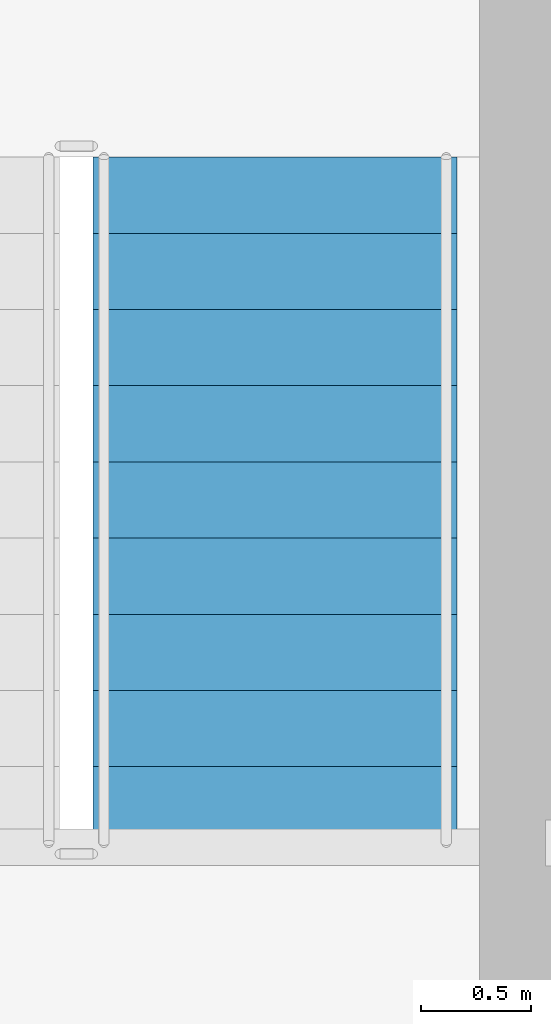
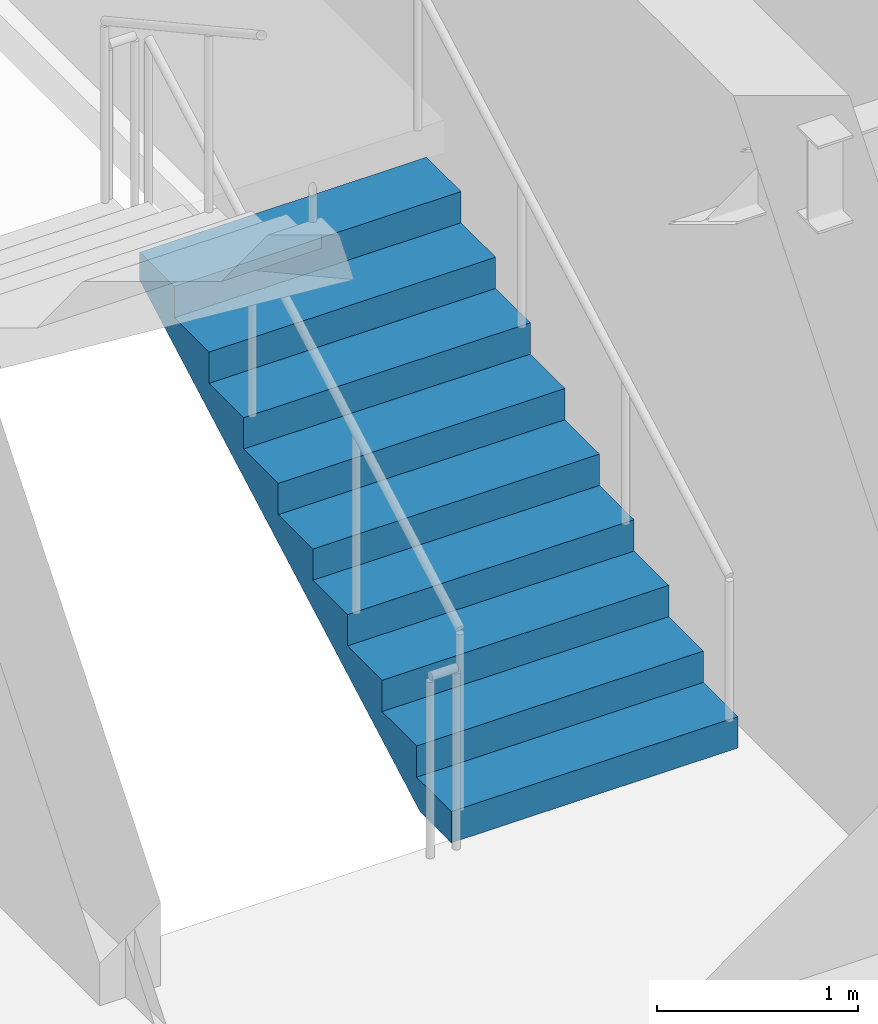
# One storey, part 35 of 36: 1 stair flight, 1 element without a shape of its own.
"""IFC4 building model written with IfcOpenShell, lengths in metres."""

from ifc_helpers import new_model, si_unit, direction, frame, origin, place, context, subcontext, project, spatial, polyline, outline, extrude, material, type_object, element, aggregate, save


model = new_model("IFC4")

# Units and contexts
model_context = context("Model", 3, precision=1e-05, world=origin(), true_north=direction((0.0, 1.0)))
body_context = subcontext(model_context, "Body", "Model", "MODEL_VIEW")
ifc_project = project(units=[si_unit("LENGTHUNIT", "METRE"), si_unit("AREAUNIT", "SQUARE_METRE"), si_unit("VOLUMEUNIT", "CUBIC_METRE"), si_unit("PLANEANGLEUNIT", "RADIAN"), si_unit("MASSUNIT", "GRAM", prefix="KILO")], contexts=[model_context])

# Site, building, storey
site_placement = place(None, origin())
site = spatial("IfcSite", under=ifc_project, at=site_placement, CompositionType="ELEMENT")
building_placement = place(site_placement, origin())
building = spatial("IfcBuilding", under=site, at=building_placement, Name="Tolvann Quenvar Hotel", CompositionType="ELEMENT")
storey_placement = place(building_placement, frame((0.0, 0.0, 302.35009765625)))
storey = spatial("IfcBuildingStorey", under=building, at=storey_placement, Name="L80", CompositionType="ELEMENT", Elevation=302.35009765625)

# Stair, stair flight
ifc_material = material(Name="Concrete N40 (40 MPa)", Category="concrete")
stair_type = type_object("IfcStairType", Name="STAIR", PredefinedType="HALF_TURN_STAIR", material=ifc_material)
stair_placement = place(storey_placement, origin())
stair = element("IfcStair", 1, at=stair_placement, inside=storey, type_object=stair_type, Name="L80 ST-C2", PredefinedType="HALF_TURN_STAIR")
stair_flight_type = type_object("IfcStairFlightType", Name="STAIR_FLIGHT", PredefinedType="STRAIGHT", material=ifc_material)
stair_flight_placement = place(storey_placement, frame((34.574951171875, 34.0, 0.0), z_axis=(0.0, 0.0, 1.0), x_axis=(0.0, 1.0, 0.0)))
stair_flight = element("IfcStairFlight", 2, at=stair_flight_placement, type_object=stair_flight_type, Name="ST-C2 flight 1", NumberOfRisers=10, NumberOfTreads=9, PredefinedType="STRAIGHT", RiserHeight=0.19, TreadLength=0.345, context=body_context, shape_type="SweptSolid", body=[
    extrude(outline(polyline([(0.0, 0.0), (0.0, 0.18994140625), (0.344970703125, 0.18994140625), (0.344970703125, 0.3798828125), (0.68994140625, 0.3798828125), (0.68994140625, 0.570068359375), (1.034912109375, 0.570068359375), (1.034912109375, 0.760009765625), (1.3798828125, 0.760009765625), (1.3798828125, 0.949951171875), (1.72509765625, 0.949951171875), (1.72509765625, 1.139892578125), (2.070068359375, 1.139892578125), (2.070068359375, 1.330078125), (2.4150390625, 1.330078125), (2.4150390625, 1.52001953125), (2.760009765625, 1.52001953125), (2.760009765625, 1.7099609375), (3.10498046875, 1.7099609375), (3.10498046875, 1.89990234375), (3.10498046875, 1.538818359375), (0.310791015625, 0.0), (0.0, 0.0)])), frame((0.0, 0.824951171875, 0.0), z_axis=(0.0, -1.0, 0.0), x_axis=(1.0, 0.0, 0.0)), (0.0, 0.0, 1.0), 1.64990234375),
])
aggregate(stair, [stair_flight])

save(model, "model.ifc")
